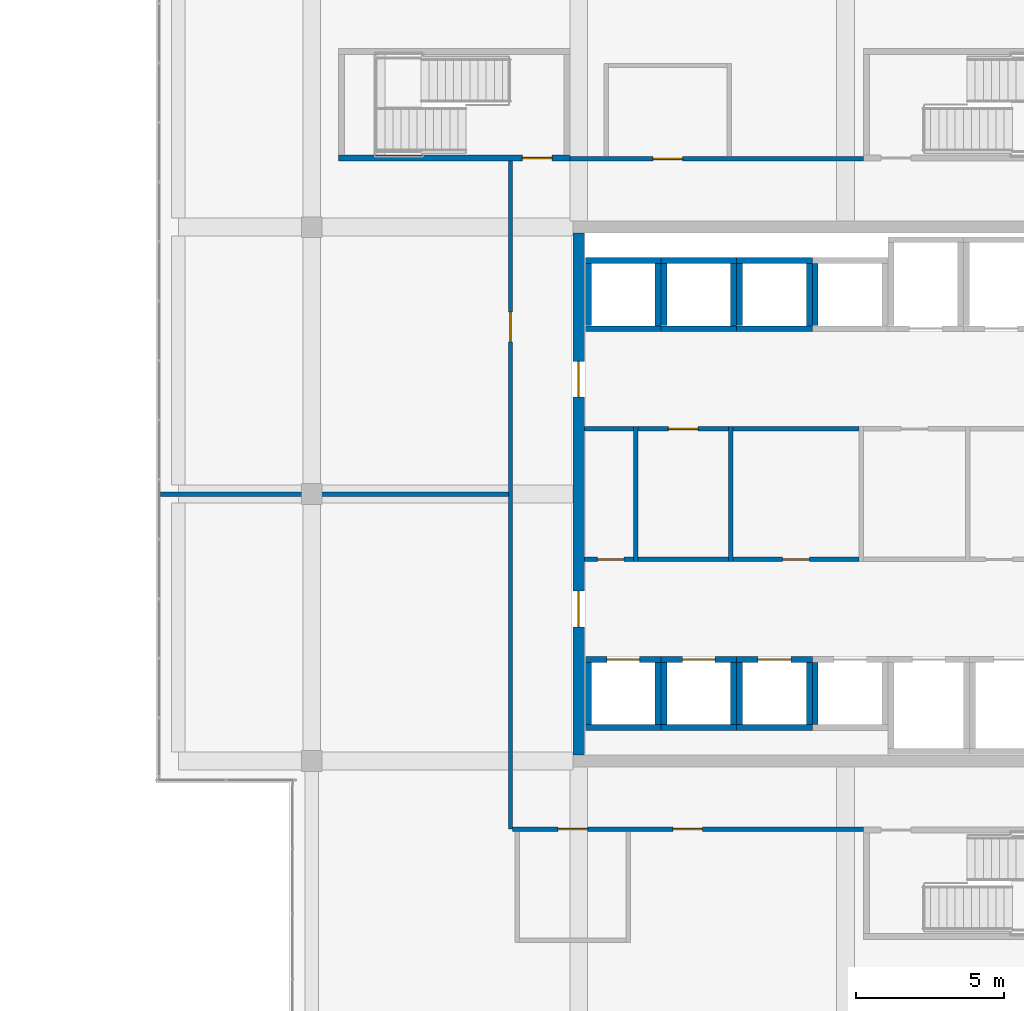
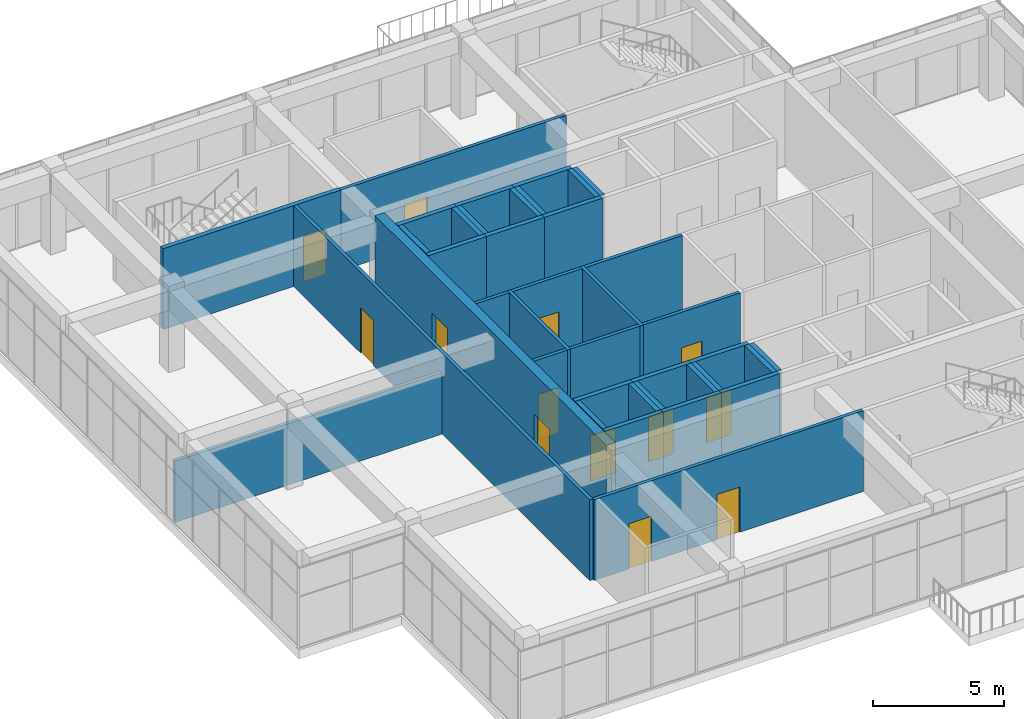
# One storey, part 44 of 49: 40 walls, 13 doors, 13 openings.
"""IFC4 building model written with IfcOpenShell, lengths in metres."""

from ifc_helpers import new_model, si_unit, direction, frame, frame_2d, origin, place, context, subcontext, project, spatial, rectangle, extrude, material, layer, layer_set, type_object, element, fill, save


model = new_model("IFC4")

# Units and contexts
model_context = context("Model", 3, precision=1e-05, world=origin(), true_north=direction((0.0, 1.0)))
body_context = subcontext(model_context, "Body", "Model", "MODEL_VIEW")
ifc_project = project(units=[si_unit("LENGTHUNIT", "METRE"), si_unit("AREAUNIT", "SQUARE_METRE"), si_unit("VOLUMEUNIT", "CUBIC_METRE"), si_unit("PLANEANGLEUNIT", "RADIAN"), si_unit("MASSUNIT", "GRAM", prefix="KILO")], contexts=[model_context])

# Site, building, storey
site_placement = place(None, origin())
site = spatial("IfcSite", under=ifc_project, at=site_placement, CompositionType="ELEMENT")
building_placement = place(site_placement, origin())
building = spatial("IfcBuilding", under=site, at=building_placement, Name="Tuart Plaza Theatre", CompositionType="ELEMENT")
storey_placement = place(building_placement, frame((0.0, 0.0, 29.5)))
storey = spatial("IfcBuildingStorey", under=building, at=storey_placement, Name="L07", CompositionType="ELEMENT", Elevation=29.5)

# Wall
ifc_material_1 = material(Name="Masonry block", Category="masonry")
ifc_layer_1 = layer(ifc_material_1, 0.14990234375)
ifc_layer_set_1 = layer_set([ifc_layer_1], Name="PARTITION BLK150 MASONRYB FRL -/120/120")
wall_type_1 = type_object("IfcWallType", Name="PARTITION BLK150 MASONRYB FRL -/120/120", PredefinedType="PARTITIONING", material=ifc_layer_set_1)
wall_1_placement = place(storey_placement, frame((124.925048828125, 71.72509765625, 0.0), z_axis=(0.0, 0.0, 1.0), x_axis=(0.0, 1.0, 0.0)))
element("IfcWall", 1, at=wall_1_placement, inside=storey, type_object=wall_type_1, Name="P636", PredefinedType="PARTITIONING", context=body_context, shape_type="SweptSolid", body=[
    extrude(rectangle(XDim=4.5498046875, YDim=0.14990234375, at=frame_2d((2.27490234375, 0.0))), origin(), (0.0, 0.0, 1.0), 3.75),
])

# Wall, opening, door
wall_2_placement = place(storey_placement, frame((123.199951171875, 71.800048828125, 0.0), z_axis=(0.0, 0.0, 1.0), x_axis=(1.0, 0.0, 0.0)))
wall_2 = element("IfcWall", 2, at=wall_2_placement, inside=storey, type_object=wall_type_1, Name="P637", PredefinedType="PARTITIONING", context=body_context, shape_type="SweptSolid", body=[
    extrude(rectangle(XDim=1.650146484375, YDim=0.14990234375, at=frame_2d((0.8251953125, 0.0))), origin(), (0.0, 0.0, 1.0), 3.75),
])
opening_1_placement = place(wall_2_placement, frame((0.425048828125, 0.0, 0.0)))
opening_1 = element("IfcOpeningElement", 3, at=opening_1_placement, cuts=wall_2, Name="Opening L07-018", PredefinedType="OPENING", context=body_context, shape_type="SweptSolid", body=[
    extrude(rectangle(XDim=0.89990234375, YDim=2.10009765625, at=frame_2d((0.449951171875, 1.050048828125))), frame((0.0, 0.0849609375, 0.0), z_axis=(0.0, -1.0, 0.0), x_axis=(1.0, 0.0, 0.0)), (0.0, 0.0, 1.0), 0.169921875),
])
ifc_material_2 = material(Name="Steel Grade 300", Category="steel")
door_type_1 = type_object("IfcDoorType", Name="DOOR 900x2100 steel single swing FRL -/120/30", OperationType="SINGLE_SWING_LEFT", PredefinedType="DOOR", material=ifc_material_2)
door_1_placement = place(opening_1_placement, origin())
door_1 = element("IfcDoor", 4, at=door_1_placement, inside=storey, type_object=door_type_1, Name="L07-018", OperationType="SINGLE_SWING_LEFT", OverallHeight=2.10009765625, OverallWidth=0.89990234375, PredefinedType="DOOR", context=body_context, shape_type="SweptSolid", body=[
    extrude(rectangle(XDim=0.89990234375, YDim=2.10009765625, at=frame_2d((0.449951171875, 1.050048828125))), frame((0.0, 0.02490234375, 0.0), z_axis=(0.0, -1.0, 0.0), x_axis=(1.0, 0.0, 0.0)), (0.0, 0.0, 1.0), 0.050048828125),
])
fill(opening_1, door_1)

# Walls
wall_3_placement = place(storey_placement, frame((123.199951171875, 76.199951171875, 0.0), z_axis=(0.0, 0.0, 1.0), x_axis=(1.0, 0.0, 0.0)))
element("IfcWall", 5, at=wall_3_placement, inside=storey, type_object=wall_type_1, Name="P638", PredefinedType="PARTITIONING", context=body_context, shape_type="SweptSolid", body=[
    extrude(rectangle(XDim=1.650146484375, YDim=0.14990234375, at=frame_2d((0.8251953125, 0.0))), origin(), (0.0, 0.0, 1.0), 3.75),
])
wall_4_placement = place(storey_placement, frame((128.125, 71.72509765625, 0.0), z_axis=(0.0, 0.0, 1.0), x_axis=(0.0, 1.0, 0.0)))
element("IfcWall", 6, at=wall_4_placement, inside=storey, type_object=wall_type_1, Name="P639", PredefinedType="PARTITIONING", context=body_context, shape_type="SweptSolid", body=[
    extrude(rectangle(XDim=4.5498046875, YDim=0.14990234375, at=frame_2d((2.27490234375, 0.0))), origin(), (0.0, 0.0, 1.0), 3.75),
])
wall_5_placement = place(storey_placement, frame((125.0, 71.800048828125, 0.0), z_axis=(0.0, 0.0, 1.0), x_axis=(1.0, 0.0, 0.0)))
element("IfcWall", 7, at=wall_5_placement, inside=storey, type_object=wall_type_1, Name="P640", PredefinedType="PARTITIONING", context=body_context, shape_type="SweptSolid", body=[
    extrude(rectangle(XDim=3.050048828125, YDim=0.14990234375, at=frame_2d((1.52490234375, 0.0))), origin(), (0.0, 0.0, 1.0), 3.75),
])

# Wall, opening, door
wall_6_placement = place(storey_placement, frame((125.0, 76.199951171875, 0.0), z_axis=(0.0, 0.0, 1.0), x_axis=(1.0, 0.0, 0.0)))
wall_6 = element("IfcWall", 8, at=wall_6_placement, inside=storey, type_object=wall_type_1, Name="P641", PredefinedType="PARTITIONING", context=body_context, shape_type="SweptSolid", body=[
    extrude(rectangle(XDim=3.050048828125, YDim=0.14990234375, at=frame_2d((1.52490234375, 0.0))), origin(), (0.0, 0.0, 1.0), 3.75),
])
opening_2_placement = place(wall_6_placement, frame((1.02490234375, 0.0, 0.0)))
opening_2 = element("IfcOpeningElement", 9, at=opening_2_placement, cuts=wall_6, Name="Opening L07-019", PredefinedType="OPENING", context=body_context, shape_type="SweptSolid", body=[
    extrude(rectangle(XDim=1.0, YDim=2.10009765625, at=frame_2d((0.5, 1.050048828125))), frame((0.0, 0.0849609375, 0.0), z_axis=(0.0, -1.0, 0.0), x_axis=(1.0, 0.0, 0.0)), (0.0, 0.0, 1.0), 0.169921875),
])
ifc_material_3 = material(Name="Steel Grade 300", Category="steel")
door_type_2 = type_object("IfcDoorType", Name="DOOR 1000x2100 steel single swing FRL -/120/30", OperationType="SINGLE_SWING_LEFT", PredefinedType="DOOR", material=ifc_material_3)
door_2_placement = place(opening_2_placement, frame((1.0, 0.0, 0.0), z_axis=(0.0, 0.0, 1.0), x_axis=(-1.0, 0.0, 0.0)))
door_2 = element("IfcDoor", 10, at=door_2_placement, inside=storey, type_object=door_type_2, Name="L07-019", OperationType="SINGLE_SWING_LEFT", OverallHeight=2.10009765625, OverallWidth=1.0, PredefinedType="DOOR", context=body_context, shape_type="SweptSolid", body=[
    extrude(rectangle(XDim=1.0, YDim=2.10009765625, at=frame_2d((0.5, 1.050048828125))), frame((0.0, 0.02490234375, 0.0), z_axis=(0.0, -1.0, 0.0), x_axis=(1.0, 0.0, 0.0)), (0.0, 0.0, 1.0), 0.050048828125),
])
fill(opening_2, door_2)

wall_7_placement = place(storey_placement, frame((128.199951171875, 71.800048828125, 0.0), z_axis=(0.0, 0.0, 1.0), x_axis=(1.0, 0.0, 0.0)))
wall_7 = element("IfcWall", 11, at=wall_7_placement, inside=storey, type_object=wall_type_1, Name="P643", PredefinedType="PARTITIONING", context=body_context, shape_type="SweptSolid", body=[
    extrude(rectangle(XDim=4.25, YDim=0.14990234375, at=frame_2d((2.125, 0.0))), origin(), (0.0, 0.0, 1.0), 3.75),
])
opening_3_placement = place(wall_7_placement, frame((1.675048828125, 0.0, 0.0)))
opening_3 = element("IfcOpeningElement", 12, at=opening_3_placement, cuts=wall_7, Name="Opening L07-020", PredefinedType="OPENING", context=body_context, shape_type="SweptSolid", body=[
    extrude(rectangle(XDim=0.89990234375, YDim=2.10009765625, at=frame_2d((0.449951171875, 1.050048828125))), frame((0.0, 0.0849609375, 0.0), z_axis=(0.0, -1.0, 0.0), x_axis=(1.0, 0.0, 0.0)), (0.0, 0.0, 1.0), 0.169921875),
])
door_3_placement = place(opening_3_placement, origin())
door_3 = element("IfcDoor", 13, at=door_3_placement, inside=storey, type_object=door_type_1, Name="L07-020", OperationType="SINGLE_SWING_RIGHT", OverallHeight=2.10009765625, OverallWidth=0.89990234375, PredefinedType="DOOR", context=body_context, shape_type="SweptSolid", body=[
    extrude(rectangle(XDim=0.89990234375, YDim=2.10009765625, at=frame_2d((0.449951171875, 1.050048828125))), frame((0.0, 0.02490234375, 0.0), z_axis=(0.0, -1.0, 0.0), x_axis=(1.0, 0.0, 0.0)), (0.0, 0.0, 1.0), 0.050048828125),
])
fill(opening_3, door_3)

# Wall
wall_8_placement = place(storey_placement, frame((128.199951171875, 76.199951171875, 0.0), z_axis=(0.0, 0.0, 1.0), x_axis=(1.0, 0.0, 0.0)))
element("IfcWall", 14, at=wall_8_placement, inside=storey, type_object=wall_type_1, Name="P644", PredefinedType="PARTITIONING", context=body_context, shape_type="SweptSolid", body=[
    extrude(rectangle(XDim=4.25, YDim=0.14990234375, at=frame_2d((2.125, 0.0))), origin(), (0.0, 0.0, 1.0), 3.75),
])

# Wall, opening, door
ifc_material_4 = material(Name="Masonry block", Category="masonry")
ifc_layer_2 = layer(ifc_material_4, 0.14990234375)
ifc_layer_set_2 = layer_set([ifc_layer_2], Name="PARTITION BLK150 MASONRYB FRL 120/-/-")
wall_type_2 = type_object("IfcWallType", Name="PARTITION BLK150 MASONRYB FRL 120/-/-", PredefinedType="PARTITIONING", material=ifc_layer_set_2)
wall_9_placement = place(storey_placement, frame((120.699951171875, 62.699951171875, 0.0), z_axis=(0.0, 0.0, 1.0), x_axis=(0.0, 1.0, 0.0)))
wall_9 = element("IfcWall", 15, at=wall_9_placement, inside=storey, type_object=wall_type_2, Name="P653", PredefinedType="PARTITIONING", context=body_context, shape_type="SweptSolid", body=[
    extrude(rectangle(XDim=22.525146484375, YDim=0.14990234375, at=frame_2d((11.2626953125, 0.0))), origin(), (0.0, 0.0, 1.0), 3.75),
])
opening_4_placement = place(wall_9_placement, frame((16.43505859375, 0.0, 0.0)))
opening_4 = element("IfcOpeningElement", 16, at=opening_4_placement, cuts=wall_9, Name="Opening L07-028", PredefinedType="OPENING", context=body_context, shape_type="SweptSolid", body=[
    extrude(rectangle(XDim=1.0, YDim=2.10009765625, at=frame_2d((0.5, 1.050048828125))), frame((0.0, 0.0849609375, 0.0), z_axis=(0.0, -1.0, 0.0), x_axis=(1.0, 0.0, 0.0)), (0.0, 0.0, 1.0), 0.169921875),
])
ifc_material_5 = material(Name="Timber", Category="wood")
door_type_3 = type_object("IfcDoorType", Name="DOOR 1000x2100 timber single swing FRL -/60/30", OperationType="SINGLE_SWING_LEFT", PredefinedType="DOOR", material=ifc_material_5)
door_4_placement = place(opening_4_placement, origin())
door_4 = element("IfcDoor", 17, at=door_4_placement, inside=storey, type_object=door_type_3, Name="L07-028", OperationType="SINGLE_SWING_LEFT", OverallHeight=2.10009765625, OverallWidth=1.0, PredefinedType="DOOR", context=body_context, shape_type="SweptSolid", body=[
    extrude(rectangle(XDim=1.0, YDim=2.10009765625, at=frame_2d((0.5, 1.050048828125))), frame((0.0, 0.02490234375, 0.0), z_axis=(0.0, -1.0, 0.0), x_axis=(1.0, 0.0, 0.0)), (0.0, 0.0, 1.0), 0.050048828125),
])
fill(opening_4, door_4)

# Wall, openings, doors
wall_10_placement = place(storey_placement, frame((132.60009765625, 62.699951171875, 0.0), z_axis=(0.0, 0.0, 1.0), x_axis=(-1.0, 0.0, 0.0)))
wall_10 = element("IfcWall", 18, at=wall_10_placement, inside=storey, type_object=wall_type_2, Name="P654", PredefinedType="PARTITIONING", context=body_context, shape_type="SweptSolid", body=[
    extrude(rectangle(XDim=11.8251953125, YDim=0.14990234375, at=frame_2d((5.91259765625, 0.0))), origin(), (0.0, 0.0, 1.0), 3.75),
])
opening_5_placement = place(wall_10_placement, frame((9.300048828125, 0.0, 0.0)))
opening_5 = element("IfcOpeningElement", 19, at=opening_5_placement, cuts=wall_10, Name="Opening L07-024", PredefinedType="OPENING", context=body_context, shape_type="SweptSolid", body=[
    extrude(rectangle(XDim=1.0, YDim=2.10009765625, at=frame_2d((0.5, 1.050048828125))), frame((0.0, 0.0849609375, 0.0), z_axis=(0.0, -1.0, 0.0), x_axis=(1.0, 0.0, 0.0)), (0.0, 0.0, 1.0), 0.169921875),
])
opening_6_placement = place(wall_10_placement, frame((5.427490234375, 0.0, 0.0)))
opening_6 = element("IfcOpeningElement", 20, at=opening_6_placement, cuts=wall_10, Name="Opening L07-026", PredefinedType="OPENING", context=body_context, shape_type="SweptSolid", body=[
    extrude(rectangle(XDim=1.0, YDim=2.10009765625, at=frame_2d((0.5, 1.050048828125))), frame((0.0, 0.0849609375, 0.0), z_axis=(0.0, -1.0, 0.0), x_axis=(1.0, 0.0, 0.0)), (0.0, 0.0, 1.0), 0.169921875),
])
door_5_placement = place(opening_5_placement, origin())
door_5 = element("IfcDoor", 21, at=door_5_placement, inside=storey, type_object=door_type_3, Name="L07-024", OperationType="SINGLE_SWING_LEFT", OverallHeight=2.10009765625, OverallWidth=1.0, PredefinedType="DOOR", context=body_context, shape_type="SweptSolid", body=[
    extrude(rectangle(XDim=1.0, YDim=2.10009765625, at=frame_2d((0.5, 1.050048828125))), frame((0.0, 0.02490234375, 0.0), z_axis=(0.0, -1.0, 0.0), x_axis=(1.0, 0.0, 0.0)), (0.0, 0.0, 1.0), 0.050048828125),
])
fill(opening_5, door_5)
door_6_placement = place(opening_6_placement, origin())
door_6 = element("IfcDoor", 22, at=door_6_placement, inside=storey, type_object=door_type_3, Name="L07-026", OperationType="SINGLE_SWING_LEFT", OverallHeight=2.10009765625, OverallWidth=1.0, PredefinedType="DOOR", context=body_context, shape_type="SweptSolid", body=[
    extrude(rectangle(XDim=1.0, YDim=2.10009765625, at=frame_2d((0.5, 1.050048828125))), frame((0.0, 0.02490234375, 0.0), z_axis=(0.0, -1.0, 0.0), x_axis=(1.0, 0.0, 0.0)), (0.0, 0.0, 1.0), 0.050048828125),
])
fill(opening_6, door_6)

# Wall, opening, door
wall_11_placement = place(storey_placement, frame((122.699951171875, 85.300048828125, 0.0), z_axis=(0.0, 0.0, 1.0), x_axis=(1.0, 0.0, 0.0)))
wall_11 = element("IfcWall", 23, at=wall_11_placement, inside=storey, type_object=wall_type_2, Name="P657", PredefinedType="PARTITIONING", context=body_context, shape_type="SweptSolid", body=[
    extrude(rectangle(XDim=9.900146484375, YDim=0.14990234375, at=frame_2d((4.9501953125, 0.0))), origin(), (0.0, 0.0, 1.0), 3.75),
])
opening_7_placement = place(wall_11_placement, frame((2.800048828125, 0.0, 0.0)))
opening_7 = element("IfcOpeningElement", 24, at=opening_7_placement, cuts=wall_11, Name="Opening L07-025", PredefinedType="OPENING", context=body_context, shape_type="SweptSolid", body=[
    extrude(rectangle(XDim=1.0, YDim=2.10009765625, at=frame_2d((0.5, 1.050048828125))), frame((0.0, 0.0849609375, 0.0), z_axis=(0.0, -1.0, 0.0), x_axis=(1.0, 0.0, 0.0)), (0.0, 0.0, 1.0), 0.169921875),
])
door_7_placement = place(opening_7_placement, origin())
door_7 = element("IfcDoor", 25, at=door_7_placement, inside=storey, type_object=door_type_3, Name="L07-025", OperationType="SINGLE_SWING_LEFT", OverallHeight=2.10009765625, OverallWidth=1.0, PredefinedType="DOOR", context=body_context, shape_type="SweptSolid", body=[
    extrude(rectangle(XDim=1.0, YDim=2.10009765625, at=frame_2d((0.5, 1.050048828125))), frame((0.0, 0.02490234375, 0.0), z_axis=(0.0, -1.0, 0.0), x_axis=(1.0, 0.0, 0.0)), (0.0, 0.0, 1.0), 0.050048828125),
])
fill(opening_7, door_7)

# Walls
wall_12_placement = place(storey_placement, frame((108.89990234375, 74.0, 0.0), z_axis=(0.0, 0.0, 1.0), x_axis=(1.0, 0.0, 0.0)))
element("IfcWall", 26, at=wall_12_placement, inside=storey, type_object=wall_type_2, Name="P659", PredefinedType="PARTITIONING", context=body_context, shape_type="SweptSolid", body=[
    extrude(rectangle(XDim=11.72607421875, YDim=0.14990234375, at=frame_2d((5.863037109375, 0.0))), origin(), (0.0, 0.0, 1.0), 2.85009765625),
])
ifc_material_6 = material(Name="Concrete N40 (40 MPa)", Category="concrete")
ifc_layer_3 = layer(ifc_material_6, 0.199951171875)
ifc_layer_set_3 = layer_set([ifc_layer_3], Name="SHEAR WALL RC200 FRL 120/120/120")
wall_type_3 = type_object("IfcWallType", Name="SHEAR WALL RC200 FRL 120/120/120", PredefinedType="SHEAR", material=ifc_layer_set_3)
wall_13_placement = place(storey_placement, frame((123.22509765625, 66.125, 0.0), z_axis=(0.0, 0.0, 1.0), x_axis=(1.0, 0.0, 0.0)))
element("IfcWall", 27, at=wall_13_placement, inside=storey, type_object=wall_type_3, Name="W578", PredefinedType="SHEAR", context=body_context, shape_type="SweptSolid", body=[
    extrude(rectangle(XDim=2.5498046875, YDim=0.199951171875, at=frame_2d((1.27490234375, 0.0))), origin(), (0.0, 0.0, 1.0), 4.0),
])
wall_14_placement = place(storey_placement, frame((125.675048828125, 66.22509765625, 0.0), z_axis=(0.0, 0.0, 1.0), x_axis=(0.0, 1.0, 0.0)))
element("IfcWall", 28, at=wall_14_placement, inside=storey, type_object=wall_type_3, Name="W579", PredefinedType="SHEAR", context=body_context, shape_type="SweptSolid", body=[
    extrude(rectangle(XDim=2.099853515625, YDim=0.199951171875, at=frame_2d((1.0498046875, 0.0))), origin(), (0.0, 0.0, 1.0), 4.0),
])

# Wall, opening, door
wall_15_placement = place(storey_placement, frame((125.77490234375, 68.425048828125, 0.0), z_axis=(0.0, 0.0, 1.0), x_axis=(-1.0, 0.0, 0.0)))
wall_15 = element("IfcWall", 29, at=wall_15_placement, inside=storey, type_object=wall_type_3, Name="W580", PredefinedType="SHEAR", context=body_context, shape_type="SweptSolid", body=[
    extrude(rectangle(XDim=2.5498046875, YDim=0.199951171875, at=frame_2d((1.27490234375, 0.0))), origin(), (0.0, 0.0, 1.0), 4.0),
])
opening_8_placement = place(wall_15_placement, frame((0.72509765625, 0.0, 0.0)))
opening_8 = element("IfcOpeningElement", 30, at=opening_8_placement, cuts=wall_15, Name="Opening L07-003", PredefinedType="OPENING", context=body_context, shape_type="SweptSolid", body=[
    extrude(rectangle(XDim=1.10009765625, YDim=2.10009765625, at=frame_2d((0.550048828125, 1.050048828125))), frame((0.0, 0.10986328125, 0.0), z_axis=(0.0, -1.0, 0.0), x_axis=(1.0, 0.0, 0.0)), (0.0, 0.0, 1.0), 0.219970703125),
])
ifc_material_7 = material(Name="Steel Grade 300", Category="steel")
door_type_4 = type_object("IfcDoorType", Name="LANDING DOOR 1100x2100 steel sliding FRL -/120/30", OperationType="SLIDING_TO_LEFT", PredefinedType="DOOR", material=ifc_material_7)
door_8_placement = place(opening_8_placement, origin())
door_8 = element("IfcDoor", 31, at=door_8_placement, inside=storey, type_object=door_type_4, Name="L07-003", OperationType="SLIDING_TO_LEFT", OverallHeight=2.10009765625, OverallWidth=1.10009765625, PredefinedType="DOOR", context=body_context, shape_type="SweptSolid", body=[
    extrude(rectangle(XDim=1.10009765625, YDim=2.10009765625, at=frame_2d((0.550048828125, 1.050048828125))), frame((0.0, 0.02490234375, 0.0), z_axis=(0.0, -1.0, 0.0), x_axis=(1.0, 0.0, 0.0)), (0.0, 0.0, 1.0), 0.050048828125),
])
fill(opening_8, door_8)

# Walls
wall_16_placement = place(storey_placement, frame((123.324951171875, 68.324951171875, 0.0), z_axis=(0.0, 0.0, 1.0), x_axis=(0.0, -1.0, 0.0)))
element("IfcWall", 32, at=wall_16_placement, inside=storey, type_object=wall_type_3, Name="W581", PredefinedType="SHEAR", context=body_context, shape_type="SweptSolid", body=[
    extrude(rectangle(XDim=2.099853515625, YDim=0.199951171875, at=frame_2d((1.0498046875, 0.0))), origin(), (0.0, 0.0, 1.0), 4.0),
])
wall_17_placement = place(storey_placement, frame((125.77490234375, 66.125, 0.0), z_axis=(0.0, 0.0, 1.0), x_axis=(1.0, 0.0, 0.0)))
element("IfcWall", 33, at=wall_17_placement, inside=storey, type_object=wall_type_3, Name="W622", PredefinedType="SHEAR", context=body_context, shape_type="SweptSolid", body=[
    extrude(rectangle(XDim=2.550048828125, YDim=0.199951171875, at=frame_2d((1.27490234375, 0.0))), origin(), (0.0, 0.0, 1.0), 4.0),
])
wall_18_placement = place(storey_placement, frame((128.22509765625, 66.22509765625, 0.0), z_axis=(0.0, 0.0, 1.0), x_axis=(0.0, 1.0, 0.0)))
element("IfcWall", 34, at=wall_18_placement, inside=storey, type_object=wall_type_3, Name="W623", PredefinedType="SHEAR", context=body_context, shape_type="SweptSolid", body=[
    extrude(rectangle(XDim=2.099853515625, YDim=0.199951171875, at=frame_2d((1.0498046875, 0.0))), origin(), (0.0, 0.0, 1.0), 4.0),
])

# Wall, opening, door
wall_19_placement = place(storey_placement, frame((128.324951171875, 68.425048828125, 0.0), z_axis=(0.0, 0.0, 1.0), x_axis=(-1.0, 0.0, 0.0)))
wall_19 = element("IfcWall", 35, at=wall_19_placement, inside=storey, type_object=wall_type_3, Name="W624", PredefinedType="SHEAR", context=body_context, shape_type="SweptSolid", body=[
    extrude(rectangle(XDim=2.550048828125, YDim=0.199951171875, at=frame_2d((1.27490234375, 0.0))), origin(), (0.0, 0.0, 1.0), 4.0),
])
opening_9_placement = place(wall_19_placement, frame((0.72509765625, 0.0, 0.0)))
opening_9 = element("IfcOpeningElement", 36, at=opening_9_placement, cuts=wall_19, Name="Opening L07-004", PredefinedType="OPENING", context=body_context, shape_type="SweptSolid", body=[
    extrude(rectangle(XDim=1.10009765625, YDim=2.10009765625, at=frame_2d((0.550048828125, 1.050048828125))), frame((0.0, 0.10986328125, 0.0), z_axis=(0.0, -1.0, 0.0), x_axis=(1.0, 0.0, 0.0)), (0.0, 0.0, 1.0), 0.219970703125),
])
door_9_placement = place(opening_9_placement, origin())
door_9 = element("IfcDoor", 37, at=door_9_placement, inside=storey, type_object=door_type_4, Name="L07-004", OperationType="SLIDING_TO_LEFT", OverallHeight=2.10009765625, OverallWidth=1.10009765625, PredefinedType="DOOR", context=body_context, shape_type="SweptSolid", body=[
    extrude(rectangle(XDim=1.10009765625, YDim=2.10009765625, at=frame_2d((0.550048828125, 1.050048828125))), frame((0.0, 0.02490234375, 0.0), z_axis=(0.0, -1.0, 0.0), x_axis=(1.0, 0.0, 0.0)), (0.0, 0.0, 1.0), 0.050048828125),
])
fill(opening_9, door_9)

# Walls
wall_20_placement = place(storey_placement, frame((125.875, 68.324951171875, 0.0), z_axis=(0.0, 0.0, 1.0), x_axis=(0.0, -1.0, 0.0)))
element("IfcWall", 38, at=wall_20_placement, inside=storey, type_object=wall_type_3, Name="W625", PredefinedType="SHEAR", context=body_context, shape_type="SweptSolid", body=[
    extrude(rectangle(XDim=2.099853515625, YDim=0.199951171875, at=frame_2d((1.0498046875, 0.0))), origin(), (0.0, 0.0, 1.0), 4.0),
])
wall_21_placement = place(storey_placement, frame((128.324951171875, 66.125, 0.0), z_axis=(0.0, 0.0, 1.0), x_axis=(1.0, 0.0, 0.0)))
element("IfcWall", 39, at=wall_21_placement, inside=storey, type_object=wall_type_3, Name="W666", PredefinedType="SHEAR", context=body_context, shape_type="SweptSolid", body=[
    extrude(rectangle(XDim=2.550048828125, YDim=0.199951171875, at=frame_2d((1.27490234375, 0.0))), origin(), (0.0, 0.0, 1.0), 4.0),
])
wall_22_placement = place(storey_placement, frame((130.77490234375, 66.22509765625, 0.0), z_axis=(0.0, 0.0, 1.0), x_axis=(0.0, 1.0, 0.0)))
element("IfcWall", 40, at=wall_22_placement, inside=storey, type_object=wall_type_3, Name="W667", PredefinedType="SHEAR", context=body_context, shape_type="SweptSolid", body=[
    extrude(rectangle(XDim=2.099853515625, YDim=0.199951171875, at=frame_2d((1.0498046875, 0.0))), origin(), (0.0, 0.0, 1.0), 4.0),
])

# Wall, opening, door
wall_23_placement = place(storey_placement, frame((130.875, 68.425048828125, 0.0), z_axis=(0.0, 0.0, 1.0), x_axis=(-1.0, 0.0, 0.0)))
wall_23 = element("IfcWall", 41, at=wall_23_placement, inside=storey, type_object=wall_type_3, Name="W668", PredefinedType="SHEAR", context=body_context, shape_type="SweptSolid", body=[
    extrude(rectangle(XDim=2.550048828125, YDim=0.199951171875, at=frame_2d((1.27490234375, 0.0))), origin(), (0.0, 0.0, 1.0), 4.0),
])
opening_10_placement = place(wall_23_placement, frame((0.72509765625, 0.0, 0.0)))
opening_10 = element("IfcOpeningElement", 42, at=opening_10_placement, cuts=wall_23, Name="Opening L07-005", PredefinedType="OPENING", context=body_context, shape_type="SweptSolid", body=[
    extrude(rectangle(XDim=1.10009765625, YDim=2.10009765625, at=frame_2d((0.550048828125, 1.050048828125))), frame((0.0, 0.10986328125, 0.0), z_axis=(0.0, -1.0, 0.0), x_axis=(1.0, 0.0, 0.0)), (0.0, 0.0, 1.0), 0.219970703125),
])
door_10_placement = place(opening_10_placement, origin())
door_10 = element("IfcDoor", 43, at=door_10_placement, inside=storey, type_object=door_type_4, Name="L07-005", OperationType="SLIDING_TO_LEFT", OverallHeight=2.10009765625, OverallWidth=1.10009765625, PredefinedType="DOOR", context=body_context, shape_type="SweptSolid", body=[
    extrude(rectangle(XDim=1.10009765625, YDim=2.10009765625, at=frame_2d((0.550048828125, 1.050048828125))), frame((0.0, 0.02490234375, 0.0), z_axis=(0.0, -1.0, 0.0), x_axis=(1.0, 0.0, 0.0)), (0.0, 0.0, 1.0), 0.050048828125),
])
fill(opening_10, door_10)

# Walls
for number, where, z_axis, x_axis, name in (
    (44, (128.425048828125, 68.324951171875, 0.0), (0.0, 0.0, 1.0), (0.0, -1.0, 0.0), "W669"),
    (45, (130.97509765625, 68.324951171875, 0.0), (0.0, 0.0, 1.0), (0.0, -1.0, 0.0), "W713"),
):
    element("IfcWall", number, at=place(storey_placement, frame(where, z_axis=z_axis, x_axis=x_axis)), inside=storey, type_object=wall_type_3, Name=name, PredefinedType="SHEAR", context=body_context, shape_type="SweptSolid", body=[
        extrude(rectangle(XDim=2.099853515625, YDim=0.199951171875, at=frame_2d((1.0498046875, 0.0))), origin(), (0.0, 0.0, 1.0), 4.0),
    ])
wall_24_placement = place(storey_placement, frame((123.22509765625, 79.574951171875, 0.0), z_axis=(0.0, 0.0, 1.0), x_axis=(1.0, 0.0, 0.0)))
element("IfcWall", 46, at=wall_24_placement, inside=storey, type_object=wall_type_3, Name="W754", PredefinedType="SHEAR", context=body_context, shape_type="SweptSolid", body=[
    extrude(rectangle(XDim=2.5498046875, YDim=0.199951171875, at=frame_2d((1.27490234375, 0.0))), origin(), (0.0, 0.0, 1.0), 4.0),
])
wall_25_placement = place(storey_placement, frame((125.675048828125, 79.675048828125, 0.0), z_axis=(0.0, 0.0, 1.0), x_axis=(0.0, 1.0, 0.0)))
element("IfcWall", 47, at=wall_25_placement, inside=storey, type_object=wall_type_3, Name="W755", PredefinedType="SHEAR", context=body_context, shape_type="SweptSolid", body=[
    extrude(rectangle(XDim=2.099853515625, YDim=0.199951171875, at=frame_2d((1.0498046875, 0.0))), origin(), (0.0, 0.0, 1.0), 4.0),
])
wall_26_placement = place(storey_placement, frame((125.77490234375, 81.875, 0.0), z_axis=(0.0, 0.0, 1.0), x_axis=(-1.0, 0.0, 0.0)))
element("IfcWall", 48, at=wall_26_placement, inside=storey, type_object=wall_type_3, Name="W756", PredefinedType="SHEAR", context=body_context, shape_type="SweptSolid", body=[
    extrude(rectangle(XDim=2.5498046875, YDim=0.199951171875, at=frame_2d((1.27490234375, 0.0))), origin(), (0.0, 0.0, 1.0), 4.0),
])
wall_27_placement = place(storey_placement, frame((123.324951171875, 81.77490234375, 0.0), z_axis=(0.0, 0.0, 1.0), x_axis=(0.0, -1.0, 0.0)))
element("IfcWall", 49, at=wall_27_placement, inside=storey, type_object=wall_type_3, Name="W757", PredefinedType="SHEAR", context=body_context, shape_type="SweptSolid", body=[
    extrude(rectangle(XDim=2.099853515625, YDim=0.199951171875, at=frame_2d((1.0498046875, 0.0))), origin(), (0.0, 0.0, 1.0), 4.0),
])
wall_28_placement = place(storey_placement, frame((125.77490234375, 79.574951171875, 0.0), z_axis=(0.0, 0.0, 1.0), x_axis=(1.0, 0.0, 0.0)))
element("IfcWall", 50, at=wall_28_placement, inside=storey, type_object=wall_type_3, Name="W826", PredefinedType="SHEAR", context=body_context, shape_type="SweptSolid", body=[
    extrude(rectangle(XDim=2.550048828125, YDim=0.199951171875, at=frame_2d((1.27490234375, 0.0))), origin(), (0.0, 0.0, 1.0), 4.0),
])
wall_29_placement = place(storey_placement, frame((128.22509765625, 79.675048828125, 0.0), z_axis=(0.0, 0.0, 1.0), x_axis=(0.0, 1.0, 0.0)))
element("IfcWall", 51, at=wall_29_placement, inside=storey, type_object=wall_type_3, Name="W827", PredefinedType="SHEAR", context=body_context, shape_type="SweptSolid", body=[
    extrude(rectangle(XDim=2.099853515625, YDim=0.199951171875, at=frame_2d((1.0498046875, 0.0))), origin(), (0.0, 0.0, 1.0), 4.0),
])
wall_30_placement = place(storey_placement, frame((128.324951171875, 81.875, 0.0), z_axis=(0.0, 0.0, 1.0), x_axis=(-1.0, 0.0, 0.0)))
element("IfcWall", 52, at=wall_30_placement, inside=storey, type_object=wall_type_3, Name="W828", PredefinedType="SHEAR", context=body_context, shape_type="SweptSolid", body=[
    extrude(rectangle(XDim=2.550048828125, YDim=0.199951171875, at=frame_2d((1.27490234375, 0.0))), origin(), (0.0, 0.0, 1.0), 4.0),
])
wall_31_placement = place(storey_placement, frame((125.875, 81.77490234375, 0.0), z_axis=(0.0, 0.0, 1.0), x_axis=(0.0, -1.0, 0.0)))
element("IfcWall", 53, at=wall_31_placement, inside=storey, type_object=wall_type_3, Name="W829", PredefinedType="SHEAR", context=body_context, shape_type="SweptSolid", body=[
    extrude(rectangle(XDim=2.099853515625, YDim=0.199951171875, at=frame_2d((1.0498046875, 0.0))), origin(), (0.0, 0.0, 1.0), 4.0),
])
wall_32_placement = place(storey_placement, frame((128.324951171875, 79.574951171875, 0.0), z_axis=(0.0, 0.0, 1.0), x_axis=(1.0, 0.0, 0.0)))
element("IfcWall", 54, at=wall_32_placement, inside=storey, type_object=wall_type_3, Name="W898", PredefinedType="SHEAR", context=body_context, shape_type="SweptSolid", body=[
    extrude(rectangle(XDim=2.550048828125, YDim=0.199951171875, at=frame_2d((1.27490234375, 0.0))), origin(), (0.0, 0.0, 1.0), 4.0),
])
wall_33_placement = place(storey_placement, frame((130.77490234375, 79.675048828125, 0.0), z_axis=(0.0, 0.0, 1.0), x_axis=(0.0, 1.0, 0.0)))
element("IfcWall", 55, at=wall_33_placement, inside=storey, type_object=wall_type_3, Name="W899", PredefinedType="SHEAR", context=body_context, shape_type="SweptSolid", body=[
    extrude(rectangle(XDim=2.099853515625, YDim=0.199951171875, at=frame_2d((1.0498046875, 0.0))), origin(), (0.0, 0.0, 1.0), 4.0),
])
wall_34_placement = place(storey_placement, frame((130.875, 81.875, 0.0), z_axis=(0.0, 0.0, 1.0), x_axis=(-1.0, 0.0, 0.0)))
element("IfcWall", 56, at=wall_34_placement, inside=storey, type_object=wall_type_3, Name="W900", PredefinedType="SHEAR", context=body_context, shape_type="SweptSolid", body=[
    extrude(rectangle(XDim=2.550048828125, YDim=0.199951171875, at=frame_2d((1.27490234375, 0.0))), origin(), (0.0, 0.0, 1.0), 4.0),
])
for number, where, z_axis, x_axis, name in (
    (57, (128.425048828125, 81.77490234375, 0.0), (0.0, 0.0, 1.0), (0.0, -1.0, 0.0), "W901"),
    (58, (130.97509765625, 81.77490234375, 0.0), (0.0, 0.0, 1.0), (0.0, -1.0, 0.0), "W973"),
):
    element("IfcWall", number, at=place(storey_placement, frame(where, z_axis=z_axis, x_axis=x_axis)), inside=storey, type_object=wall_type_3, Name=name, PredefinedType="SHEAR", context=body_context, shape_type="SweptSolid", body=[
        extrude(rectangle(XDim=2.099853515625, YDim=0.199951171875, at=frame_2d((1.0498046875, 0.0))), origin(), (0.0, 0.0, 1.0), 4.0),
    ])

# Wall, opening, door
wall_35_placement = place(storey_placement, frame((114.89990234375, 85.324951171875, 0.0), z_axis=(0.0, 0.0, 1.0), x_axis=(1.0, 0.0, 0.0)))
wall_35 = element("IfcWall", 59, at=wall_35_placement, inside=storey, type_object=wall_type_3, Name="P460", PredefinedType="SHEAR", context=body_context, shape_type="SweptSolid", body=[
    extrude(rectangle(XDim=7.800048828125, YDim=0.199951171875, at=frame_2d((3.89990234375, 0.0))), origin(), (0.0, 0.0, 1.0), 3.75),
])
opening_11_placement = place(wall_35_placement, frame((6.199951171875, 0.0, 0.0)))
opening_11 = element("IfcOpeningElement", 60, at=opening_11_placement, cuts=wall_35, Name="Opening L07-013", PredefinedType="OPENING", context=body_context, shape_type="SweptSolid", body=[
    extrude(rectangle(XDim=1.0, YDim=2.10009765625, at=frame_2d((0.5, 1.050048828125))), frame((0.0, 0.10986328125, 0.0), z_axis=(0.0, -1.0, 0.0), x_axis=(1.0, 0.0, 0.0)), (0.0, 0.0, 1.0), 0.219970703125),
])
door_11_placement = place(opening_11_placement, origin())
door_11 = element("IfcDoor", 61, at=door_11_placement, inside=storey, type_object=door_type_2, Name="L07-013", OperationType="SINGLE_SWING_LEFT", OverallHeight=2.10009765625, OverallWidth=1.0, PredefinedType="DOOR", context=body_context, shape_type="SweptSolid", body=[
    extrude(rectangle(XDim=1.0, YDim=2.10009765625, at=frame_2d((0.5, 1.050048828125))), frame((0.0, 0.02490234375, 0.0), z_axis=(0.0, -1.0, 0.0), x_axis=(1.0, 0.0, 0.0)), (0.0, 0.0, 1.0), 0.050048828125),
])
fill(opening_11, door_11)

# Wall, openings, doors
ifc_material_8 = material(Name="Concrete N50 (50 MPa)", Category="concrete")
ifc_layer_4 = layer(ifc_material_8, 0.39990234375)
ifc_layer_set_4 = layer_set([ifc_layer_4], Name="SHEAR WALL RC400 N50 FRL 120/120/120")
wall_type_4 = type_object("IfcWallType", Name="SHEAR WALL RC400 N50 FRL 120/120/120", PredefinedType="SHEAR", material=ifc_layer_set_4)
wall_36_placement = place(storey_placement, frame((123.0, 82.800048828125, 0.0), z_axis=(0.0, 0.0, 1.0), x_axis=(0.0, -1.0, 0.0)))
wall_36 = element("IfcWall", 62, at=wall_36_placement, inside=storey, type_object=wall_type_4, Name="W398", PredefinedType="SHEAR", context=body_context, shape_type="SweptSolid", body=[
    extrude(rectangle(XDim=17.60009765625, YDim=0.39990234375, at=frame_2d((8.800048828125, 0.0))), origin(), (0.0, 0.0, 1.0), 4.0),
])
opening_12_placement = place(wall_36_placement, frame((12.074951171875, 0.0, 0.0)))
opening_12 = element("IfcOpeningElement", 63, at=opening_12_placement, cuts=wall_36, Name="Opening L07-014", PredefinedType="OPENING", context=body_context, shape_type="SweptSolid", body=[
    extrude(rectangle(XDim=1.199951171875, YDim=2.10009765625, at=frame_2d((0.60009765625, 1.050048828125))), frame((0.0, 0.2099609375, 0.0), z_axis=(0.0, -1.0, 0.0), x_axis=(1.0, 0.0, 0.0)), (0.0, 0.0, 1.0), 0.419921875),
])
opening_13_placement = place(wall_36_placement, frame((4.324951171875, 0.0, 0.0)))
opening_13 = element("IfcOpeningElement", 64, at=opening_13_placement, cuts=wall_36, Name="Opening L07-016", PredefinedType="OPENING", context=body_context, shape_type="SweptSolid", body=[
    extrude(rectangle(XDim=1.199951171875, YDim=2.10009765625, at=frame_2d((0.60009765625, 1.050048828125))), frame((0.0, 0.2099609375, 0.0), z_axis=(0.0, -1.0, 0.0), x_axis=(1.0, 0.0, 0.0)), (0.0, 0.0, 1.0), 0.419921875),
])
ifc_material_9 = material(Name="Steel Grade 300", Category="steel")
door_type_5 = type_object("IfcDoorType", Name="DOOR 1200x2100 steel single swing FRL -/120/30", OperationType="SINGLE_SWING_LEFT", PredefinedType="DOOR", material=ifc_material_9)
door_12_placement = place(opening_12_placement, frame((1.199951171875, 0.0, 0.0), z_axis=(0.0, 0.0, 1.0), x_axis=(-1.0, 0.0, 0.0)))
door_12 = element("IfcDoor", 65, at=door_12_placement, inside=storey, type_object=door_type_5, Name="L07-014", OperationType="SINGLE_SWING_RIGHT", OverallHeight=2.10009765625, OverallWidth=1.199951171875, PredefinedType="DOOR", context=body_context, shape_type="SweptSolid", body=[
    extrude(rectangle(XDim=1.199951171875, YDim=2.10009765625, at=frame_2d((0.60009765625, 1.050048828125))), frame((0.0, 0.02490234375, 0.0), z_axis=(0.0, -1.0, 0.0), x_axis=(1.0, 0.0, 0.0)), (0.0, 0.0, 1.0), 0.050048828125),
])
fill(opening_12, door_12)
door_13_placement = place(opening_13_placement, frame((1.199951171875, 0.0, 0.0), z_axis=(0.0, 0.0, 1.0), x_axis=(-1.0, 0.0, 0.0)))
door_13 = element("IfcDoor", 66, at=door_13_placement, inside=storey, type_object=door_type_5, Name="L07-016", OperationType="SINGLE_SWING_LEFT", OverallHeight=2.10009765625, OverallWidth=1.199951171875, PredefinedType="DOOR", context=body_context, shape_type="SweptSolid", body=[
    extrude(rectangle(XDim=1.199951171875, YDim=2.10009765625, at=frame_2d((0.60009765625, 1.050048828125))), frame((0.0, 0.02490234375, 0.0), z_axis=(0.0, -1.0, 0.0), x_axis=(1.0, 0.0, 0.0)), (0.0, 0.0, 1.0), 0.050048828125),
])
fill(opening_13, door_13)

save(model, "model.ifc")
